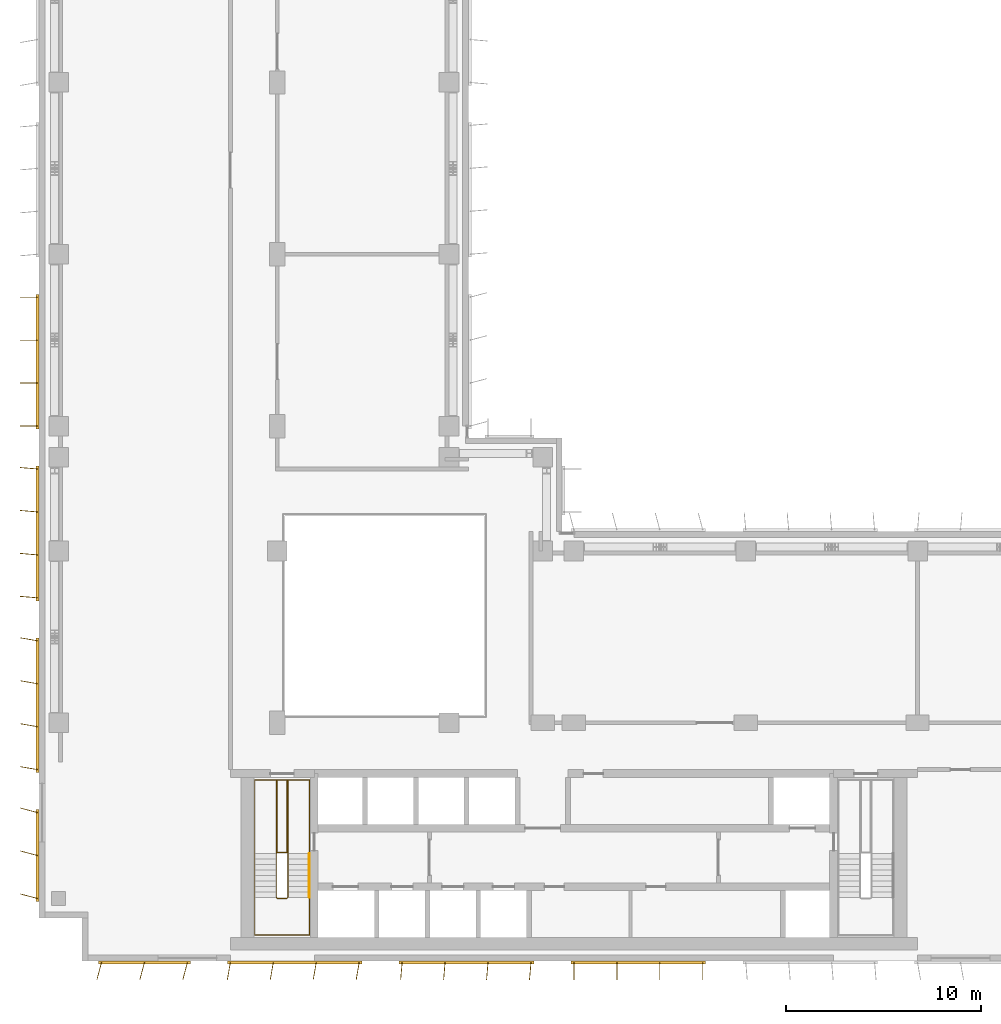
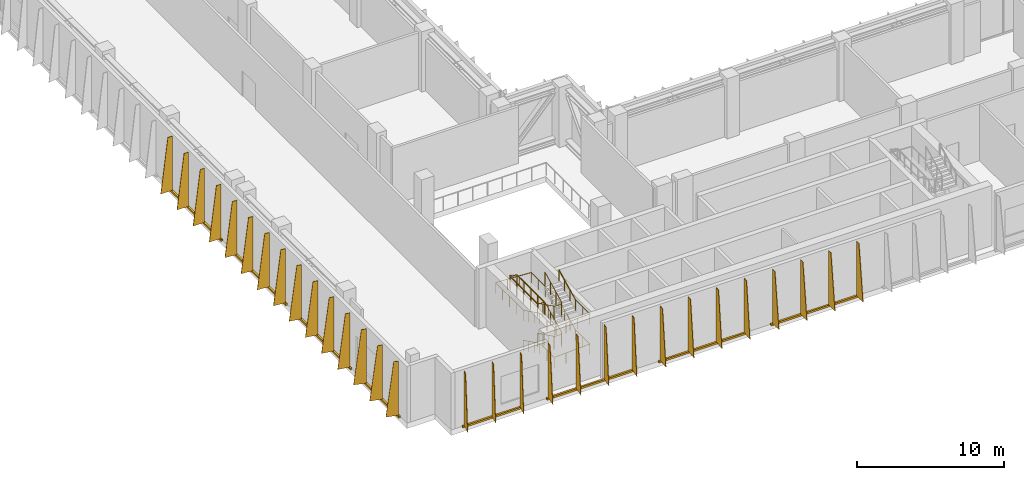
# One storey, part 14 of 17: 8 shading devices, 4 railings.
"""IFC4 building model written with IfcOpenShell, lengths in metres."""

import ifcopenshell
import ifcopenshell.guid

model = None  # the IFC model being written
_history = None  # IfcOwnerHistory: only IFC2X3 demands one
_inside = {}  # id of a spatial element -> (the spatial element, [elements in it])
_under = {}  # id of a project, library or spatial element -> (it, [spatial elements below it])
_declared = {}  # id of a project -> (the project, [libraries it declares])
_typed = {}  # id of a type object -> (the type object, [elements of that type])
_made_of = {}  # id of a material, layer set ... -> (it, [elements and type objects made of it])


def new_model(schema):
    """Start an empty IFC model of exactly this schema.

    Asked for "IFC4X3", IfcOpenShell would pick the latest addendum, in which some entities
    have other attributes; the version numbers below select the first issue.
    IFC2X3 requires an IfcOwnerHistory on every rooted entity: one is made here for all.
    """
    global model, _history
    if schema == "IFC4X3":
        model = ifcopenshell.file(schema_version=(4, 3, 0, 0))
    else:
        model = ifcopenshell.file(schema=schema)
    _inside.clear()
    _under.clear()
    _declared.clear()
    _typed.clear()
    _made_of.clear()
    _history = None
    if model.schema == "IFC2X3":
        org = make("IfcOrganization", Name="unknown")
        user = make(
            "IfcPersonAndOrganization",
            ThePerson=make("IfcPerson", FamilyName="unknown"),
            TheOrganization=org,
        )
        app = make(
            "IfcApplication",
            ApplicationDeveloper=org,
            Version="unknown",
            ApplicationFullName="unknown",
            ApplicationIdentifier="unknown",
        )
        _history = make(
            "IfcOwnerHistory",
            OwningUser=user,
            OwningApplication=app,
            ChangeAction="ADDED",
            CreationDate=0,
        )
    return model


def make(cls, **values):
    """One entity of the class cls with the attributes given. An attribute that is None is left unset."""
    return model.create_entity(
        cls, **{name: value for name, value in values.items() if value is not None}
    )


def rooted(cls, **values):
    """An entity with a GlobalId (a new one), such as an element, a storey or a relation."""
    return make(cls, GlobalId=ifcopenshell.guid.new(), OwnerHistory=_history, **values)


def si_unit(unit_type, name, prefix=None):
    """IfcSIUnit, for example si_unit("LENGTHUNIT", "METRE", prefix="MILLI")."""
    return make("IfcSIUnit", UnitType=unit_type, Prefix=prefix, Name=name)


def assignment(units):
    """IfcUnitAssignment: the units of a project."""
    return None if units is None else make("IfcUnitAssignment", Units=units)


def point(xyz):
    """IfcCartesianPoint."""
    return None if xyz is None else make("IfcCartesianPoint", Coordinates=xyz)


def direction(xyz):
    """IfcDirection."""
    return None if xyz is None else make("IfcDirection", DirectionRatios=xyz)


def frame(location, z_axis=None, x_axis=None):
    """IfcAxis2Placement3D, a coordinate frame: its origin and axes. An axis left out is left unset."""
    return make(
        "IfcAxis2Placement3D",
        Location=point(location),
        Axis=direction(z_axis),
        RefDirection=direction(x_axis),
    )


def frame_2d(location, x_axis=None):
    """IfcAxis2Placement2D, a coordinate frame in the plane: its origin and x axis."""
    return make(
        "IfcAxis2Placement2D", Location=point(location), RefDirection=direction(x_axis)
    )


def origin():
    """The frame at (0, 0, 0) with its axes left unset."""
    return frame((0.0, 0.0, 0.0))


def origin_2d():
    """The frame at (0, 0) in the plane with its x axis left unset."""
    return frame_2d((0.0, 0.0))


def place(relative_to, where):
    """IfcLocalPlacement: puts the frame where relative to a parent placement (None: the world)."""
    return make(
        "IfcLocalPlacement", PlacementRelTo=relative_to, RelativePlacement=where
    )


def context(
    kind, dimensions, precision=None, world=None, true_north=None, identifier=None
):
    """IfcGeometricRepresentationContext, for example the 3D "Model" context."""
    return make(
        "IfcGeometricRepresentationContext",
        ContextIdentifier=identifier,
        ContextType=kind,
        CoordinateSpaceDimension=dimensions,
        Precision=precision,
        WorldCoordinateSystem=world,
        TrueNorth=true_north,
    )


def subcontext(parent, identifier, kind, view, scale=None):
    """IfcGeometricRepresentationSubContext, for example "Body" below "Model"."""
    return make(
        "IfcGeometricRepresentationSubContext",
        ContextIdentifier=identifier,
        ContextType=kind,
        ParentContext=parent,
        TargetScale=scale,
        TargetView=view,
    )


def project(units=None, contexts=None):
    """IfcProject with its units and contexts."""
    return rooted(
        "IfcProject",
        Name="project",
        RepresentationContexts=contexts,
        UnitsInContext=assignment(units),
    )


def spatial(cls, under=None, at=None, **own):
    """A site, building, storey or space (cls), placed at a placement, below another one or the project."""
    s = rooted(cls, ObjectPlacement=at, **own)
    if under is not None:
        _under.setdefault(under.id(), (under, []))[1].append(s)
    return s


def polyline(points):
    """IfcPolyline through the points."""
    return make("IfcPolyline", Points=[point(p) for p in points])


def profile(cls, at=None, kind="AREA", **sizes):
    """A parametric profile (cls). Its sizes go by their IFC names, for example OverallWidth=200.0."""
    return make(cls, ProfileType=kind, Position=at, **sizes)


def rectangle(**sizes):
    """IfcRectangleProfileDef."""
    return profile("IfcRectangleProfileDef", **sizes)


def circle(**sizes):
    """IfcCircleProfileDef."""
    return profile("IfcCircleProfileDef", **sizes)


def outline(outer, holes=None, kind="AREA"):
    """IfcArbitraryClosedProfileDef: a profile drawn as a closed curve; with holes, ...WithVoids."""
    if holes is None:
        return make("IfcArbitraryClosedProfileDef", ProfileType=kind, OuterCurve=outer)
    return make(
        "IfcArbitraryProfileDefWithVoids",
        ProfileType=kind,
        OuterCurve=outer,
        InnerCurves=holes,
    )


def extrude(swept, where, along, depth):
    """IfcExtrudedAreaSolid: the profile swept, set in the frame where, extruded along a direction by depth."""
    return make(
        "IfcExtrudedAreaSolid",
        SweptArea=swept,
        Position=where,
        ExtrudedDirection=direction(along),
        Depth=depth,
    )


def shape(context_of_items, identifier, shape_type, items):
    """IfcShapeRepresentation: the items that make up one representation, for example the "Body"."""
    return make(
        "IfcShapeRepresentation",
        ContextOfItems=context_of_items,
        RepresentationIdentifier=identifier,
        RepresentationType=shape_type,
        Items=items,
    )


def source(mapping_origin, context_of_items, identifier, shape_type, items):
    """IfcRepresentationMap: a shape defined once, which mapped items show again and again."""
    return make(
        "IfcRepresentationMap",
        MappingOrigin=mapping_origin,
        MappedRepresentation=shape(context_of_items, identifier, shape_type, items),
    )


def transform(
    local_origin,
    x_axis=None,
    y_axis=None,
    z_axis=None,
    scale=None,
    scale2=None,
    scale3=None,
    uniform=True,
):
    """IfcCartesianTransformationOperator3D, or its non-uniform kind. x_axis, y_axis, z_axis: its Axis1, 2, 3."""
    if uniform:
        return make(
            "IfcCartesianTransformationOperator3D",
            Axis1=direction(x_axis),
            Axis2=direction(y_axis),
            LocalOrigin=point(local_origin),
            Scale=scale,
            Axis3=direction(z_axis),
        )
    return make(
        "IfcCartesianTransformationOperator3DnonUniform",
        Axis1=direction(x_axis),
        Axis2=direction(y_axis),
        LocalOrigin=point(local_origin),
        Scale=scale,
        Axis3=direction(z_axis),
        Scale2=scale2,
        Scale3=scale3,
    )


def mapped(mapping_source, mapping_target):
    """IfcMappedItem: shows the shape of a source again, moved by a transform."""
    return make(
        "IfcMappedItem", MappingSource=mapping_source, MappingTarget=mapping_target
    )


def material(Name=None, Category=None):
    """IfcMaterial."""
    return make("IfcMaterial", Name=Name, Category=Category)


def layer(
    of_material, thickness, ventilated=None, Name=None, Category=None, Priority=None
):
    """IfcMaterialLayer: one layer of a wall or slab, of a material (None: an air gap)."""
    return make(
        "IfcMaterialLayer",
        Material=of_material,
        LayerThickness=thickness,
        IsVentilated=ventilated,
        Name=Name,
        Category=Category,
        Priority=Priority,
    )


def layer_set(layers, Name=None):
    """IfcMaterialLayerSet."""
    return make("IfcMaterialLayerSet", MaterialLayers=layers, LayerSetName=Name)


def made_of(thing, what):
    """Note that an element or type object is made of a material, layer set ...; save() writes the relation."""
    if what is not None:
        _made_of.setdefault(what.id(), (what, []))[1].append(thing)
    return thing


def type_object(cls, material=None, **own):
    """A type object (cls), such as IfcWallType, which elements share."""
    return made_of(rooted(cls, **own), material)


def element(
    cls,
    number,
    at=None,
    inside=None,
    cuts=None,
    type_object=None,
    material=None,
    context=None,
    identifier="Body",
    shape_type=None,
    held_by="IfcProductDefinitionShape",
    body=None,
    shapes=None,
    **own,
):
    """One element of the class cls, such as IfcWall. Its Tag is "e" and its number.

    at: its placement. inside: the storey or other place that contains it. cuts: it is an
    opening in that element (IfcRelVoidsElement). A single representation is given by context,
    identifier, shape_type and body (its items); several are given by shapes. held_by: the class
    of the entity that holds the representations. save() writes the other relations.
    """
    e = rooted(cls, Tag="e%d" % number, ObjectPlacement=at, **own)
    if body is not None:
        shapes = [shape(context, identifier, shape_type, body)]
    if shapes is not None:
        e.Representation = make(held_by, Representations=shapes)
    if inside is not None:
        _inside.setdefault(inside.id(), (inside, []))[1].append(e)
    if cuts is not None:
        rooted(
            "IfcRelVoidsElement", RelatingBuildingElement=cuts, RelatedOpeningElement=e
        )
    if type_object is not None:
        _typed.setdefault(type_object.id(), (type_object, []))[1].append(e)
    return made_of(e, material)


def aggregate(whole, parts):
    """IfcRelAggregates: a whole, such as a stair, and the parts it consists of."""
    return rooted("IfcRelAggregates", RelatingObject=whole, RelatedObjects=parts)


def save(model, path):
    """Write the relations noted so far, then the file.

    IfcRelAggregates (storeys below a building ...), IfcRelContainedInSpatialStructure (elements
    in a storey), IfcRelDefinesByType, IfcRelAssociatesMaterial and IfcRelDeclares: one each for
    every whole, place, type object, material and project.
    """
    for whole, parts in _under.values():
        aggregate(whole, parts)
    for where, things in _inside.values():
        rooted(
            "IfcRelContainedInSpatialStructure",
            RelatedElements=things,
            RelatingStructure=where,
        )
    for kind, things in _typed.values():
        rooted("IfcRelDefinesByType", RelatedObjects=things, RelatingType=kind)
    for what, things in _made_of.values():
        rooted("IfcRelAssociatesMaterial", RelatedObjects=things, RelatingMaterial=what)
    for by, libraries in _declared.values():
        rooted("IfcRelDeclares", RelatingContext=by, RelatedDefinitions=libraries)
    model.write(path)


model = new_model("IFC4")

# Units and contexts
model_context = context("Model", 3, precision=1e-05, world=origin(), true_north=direction((0.0, 1.0)))
body_context = subcontext(model_context, "Body", "Model", "MODEL_VIEW")
ifc_project = project(units=[si_unit("LENGTHUNIT", "METRE"), si_unit("AREAUNIT", "SQUARE_METRE"), si_unit("VOLUMEUNIT", "CUBIC_METRE"), si_unit("PLANEANGLEUNIT", "RADIAN"), si_unit("MASSUNIT", "GRAM", prefix="KILO")], contexts=[model_context])

# Site, building, storey
site_placement = place(None, origin())
site = spatial("IfcSite", under=ifc_project, at=site_placement, CompositionType="ELEMENT")
building_placement = place(site_placement, origin())
building = spatial("IfcBuilding", under=site, at=building_placement, Name="Kemantara Hotel Tower", CompositionType="ELEMENT")
storey_placement = place(building_placement, frame((0.0, 0.0, 193.800048828125)))
storey = spatial("IfcBuildingStorey", under=building, at=storey_placement, Name="L48", CompositionType="ELEMENT", Elevation=193.800048828125)

# Railings
ifc_material_1 = material(Name="Stainless steel balustrade", Category="steel")
railing_type_1 = type_object("IfcRailingType", Name="Stair guard 1100 mm", PredefinedType="GUARDRAIL", material=ifc_material_1)
railing_1_placement = place(storey_placement, frame((12.75, 5.5, 5.0)))
element("IfcRailing", 1, at=railing_1_placement, inside=storey, type_object=railing_type_1, Name="L48 ST1 stair guard 1", PredefinedType="GUARDRAIL", context=body_context, shape_type="SweptSolid", body=[
    extrude(circle(Radius=0.02392578125, at=origin_2d()), frame((0.0, 0.0, 1.076171875), z_axis=(0.0, -0.895848192791, -0.444360231651), x_axis=(1.0, 0.0, 0.0)), (0.0, 0.0, 1.0), 2.50048828125),
    extrude(circle(Radius=0.02392578125, at=origin_2d()), frame((0.0, -2.239990234375, -0.03515625), z_axis=(-0.321014310373, -0.321014310373, -0.891010451718), x_axis=(0.707106781187, -0.707106781187, 0.0)), (0.0, 0.0, 1.0), 0.156005859375),
    extrude(circle(Radius=0.02392578125, at=origin_2d()), frame((-0.050048828125, -2.2900390625, -0.173828125), z_axis=(-1.0, 0.0, 0.0), x_axis=(0.0, -1.0, 0.0)), (0.0, 0.0, 1.0), 0.5),
    extrude(circle(Radius=0.02392578125, at=origin_2d()), frame((-0.550048828125, -2.2900390625, -0.173828125), z_axis=(-0.707106781187, 0.707106781187, 0.0), x_axis=(-0.707106781187, -0.707106781187, 0.0)), (0.0, 0.0, 1.0), 0.07080078125),
    extrude(circle(Radius=0.02392578125, at=origin_2d()), frame((-0.60009765625, -2.239990234375, -0.173828125), z_axis=(0.0, 0.895848192791, -0.444360231651), x_axis=(-1.0, 0.0, 0.0)), (0.0, 0.0, 1.0), 2.50048828125),
    extrude(circle(Radius=0.02392578125, at=origin_2d()), frame((-0.60009765625, 0.0, -1.28515625), z_axis=(0.0, 1.0, 0.0), x_axis=(-1.0, 0.0, 0.0)), (0.0, 0.0, 1.0), 3.780029296875),
    extrude(circle(Radius=0.02392578125, at=origin_2d()), frame((-0.60009765625, 3.780029296875, -1.28515625), z_axis=(0.969557479204, 0.0, -0.244863828525), x_axis=(0.0, 1.0, 0.0)), (0.0, 0.0, 1.0), 0.5673828125),
    extrude(circle(Radius=0.02392578125, at=origin_2d()), frame((-0.050048828125, 3.780029296875, -1.423828125), z_axis=(0.0, -1.0, 0.0), x_axis=(1.0, 0.0, 0.0)), (0.0, 0.0, 1.0), 3.72998046875),
    extrude(circle(Radius=0.02392578125, at=origin_2d()), frame((-0.050048828125, 0.050048828125, -1.423828125), z_axis=(-1.0, 0.0, 0.0), x_axis=(0.0, -1.0, 0.0)), (0.0, 0.0, 1.0), 0.5),
    extrude(circle(Radius=0.02392578125, at=origin_2d()), frame((-0.550048828125, 0.050048828125, -1.423828125), z_axis=(0.0, 1.0, 0.0), x_axis=(-1.0, 0.0, 0.0)), (0.0, 0.0, 1.0), 3.72998046875),
    extrude(circle(Radius=0.02392578125, at=origin_2d()), frame((-0.550048828125, 3.780029296875, -1.423828125), z_axis=(1.0, 0.0, 0.0), x_axis=(0.0, 1.0, 0.0)), (0.0, 0.0, 1.0), 0.550048828125),
    extrude(circle(Radius=0.02392578125, at=origin_2d()), frame((0.0, 3.780029296875, -1.423828125), z_axis=(0.0, -1.0, 0.0), x_axis=(1.0, 0.0, 0.0)), (0.0, 0.0, 1.0), 3.780029296875),
    extrude(circle(Radius=0.02392578125, at=origin_2d()), frame((0.0, 0.0, -1.423828125), z_axis=(0.0, -0.895848192791, -0.444360231651), x_axis=(1.0, 0.0, 0.0)), (0.0, 0.0, 1.0), 2.50048828125),
    extrude(circle(Radius=0.02392578125, at=origin_2d()), frame((0.0, -2.239990234375, -2.53515625), z_axis=(-0.321014310373, -0.321014310373, -0.891010451718), x_axis=(0.707106781187, -0.707106781187, 0.0)), (0.0, 0.0, 1.0), 0.156005859375),
    extrude(circle(Radius=0.02392578125, at=origin_2d()), frame((-0.050048828125, -2.2900390625, -2.673828125), z_axis=(-1.0, 0.0, 0.0), x_axis=(0.0, -1.0, 0.0)), (0.0, 0.0, 1.0), 0.5),
    extrude(circle(Radius=0.02392578125, at=origin_2d()), frame((-0.550048828125, -2.2900390625, -2.673828125), z_axis=(-0.707106781187, 0.707106781187, 0.0), x_axis=(-0.707106781187, -0.707106781187, 0.0)), (0.0, 0.0, 1.0), 0.07080078125),
    extrude(circle(Radius=0.02392578125, at=origin_2d()), frame((-0.60009765625, -2.239990234375, -2.673828125), z_axis=(0.0, 0.895848192791, -0.444360231651), x_axis=(-1.0, 0.0, 0.0)), (0.0, 0.0, 1.0), 2.50048828125),
    extrude(circle(Radius=0.02392578125, at=origin_2d()), frame((-0.60009765625, 0.0, -3.78515625), z_axis=(0.321014310373, 0.321014310373, -0.891010451718), x_axis=(-0.707106781187, 0.707106781187, 0.0)), (0.0, 0.0, 1.0), 0.156005859375),
    extrude(circle(Radius=0.02392578125, at=origin_2d()), frame((-0.550048828125, 0.050048828125, -3.923828125), z_axis=(1.0, 0.0, 0.0), x_axis=(0.0, 1.0, 0.0)), (0.0, 0.0, 1.0), 0.5),
    extrude(circle(Radius=0.02099609375, at=origin_2d()), origin(), (0.0, 0.0, 1.0), 1.052001953125),
    extrude(circle(Radius=0.02099609375, at=origin_2d()), frame((0.0, -0.74658203125, -0.370361328125)), (0.0, 0.0, 1.0), 1.052001953125),
    extrude(circle(Radius=0.02099609375, at=origin_2d()), frame((0.0, -1.493408203125, -0.74072265625)), (0.0, 0.0, 1.0), 1.052001953125),
    extrude(circle(Radius=0.02099609375, at=origin_2d()), frame((0.0, -2.239990234375, -1.111083984375)), (0.0, 0.0, 1.0), 1.052001953125),
    extrude(circle(Radius=0.02099609375, at=origin_2d()), frame((-0.050048828125, -2.2900390625, -1.25)), (0.0, 0.0, 1.0), 1.052001953125),
    extrude(circle(Radius=0.02099609375, at=origin_2d()), frame((-0.550048828125, -2.2900390625, -1.25)), (0.0, 0.0, 1.0), 1.052001953125),
    extrude(circle(Radius=0.02099609375, at=origin_2d()), frame((-0.60009765625, -2.239990234375, -1.25)), (0.0, 0.0, 1.0), 1.052001953125),
    extrude(circle(Radius=0.02099609375, at=origin_2d()), frame((-0.60009765625, -1.493408203125, -1.620361328125)), (0.0, 0.0, 1.0), 1.052001953125),
    extrude(circle(Radius=0.02099609375, at=origin_2d()), frame((-0.60009765625, -0.74658203125, -1.99072265625)), (0.0, 0.0, 1.0), 1.052001953125),
    extrude(circle(Radius=0.02099609375, at=origin_2d()), frame((-0.60009765625, 0.0, -2.361083984375)), (0.0, 0.0, 1.0), 1.052001953125),
    extrude(circle(Radius=0.02099609375, at=origin_2d()), frame((-0.60009765625, 0.945068359375, -2.361083984375)), (0.0, 0.0, 1.0), 1.052001953125),
    extrude(circle(Radius=0.02099609375, at=origin_2d()), frame((-0.60009765625, 1.89013671875, -2.361083984375)), (0.0, 0.0, 1.0), 1.052001953125),
    extrude(circle(Radius=0.02099609375, at=origin_2d()), frame((-0.60009765625, 2.8349609375, -2.361083984375)), (0.0, 0.0, 1.0), 1.052001953125),
    extrude(circle(Radius=0.02099609375, at=origin_2d()), frame((-0.60009765625, 3.780029296875, -2.361083984375)), (0.0, 0.0, 1.0), 1.052001953125),
    extrude(circle(Radius=0.02099609375, at=origin_2d()), frame((-0.050048828125, 3.780029296875, -2.5)), (0.0, 0.0, 1.0), 1.052001953125),
    extrude(circle(Radius=0.02099609375, at=origin_2d()), frame((-0.050048828125, 2.84765625, -2.5)), (0.0, 0.0, 1.0), 1.052001953125),
    extrude(circle(Radius=0.02099609375, at=origin_2d()), frame((-0.050048828125, 1.9150390625, -2.5)), (0.0, 0.0, 1.0), 1.052001953125),
    extrude(circle(Radius=0.02099609375, at=origin_2d()), frame((-0.050048828125, 0.982421875, -2.5)), (0.0, 0.0, 1.0), 1.052001953125),
    extrude(circle(Radius=0.02099609375, at=origin_2d()), frame((-0.050048828125, 0.050048828125, -2.5)), (0.0, 0.0, 1.0), 1.052001953125),
    extrude(circle(Radius=0.02099609375, at=origin_2d()), frame((-0.550048828125, 0.050048828125, -2.5)), (0.0, 0.0, 1.0), 1.052001953125),
    extrude(circle(Radius=0.02099609375, at=origin_2d()), frame((-0.550048828125, 0.982421875, -2.5)), (0.0, 0.0, 1.0), 1.052001953125),
    extrude(circle(Radius=0.02099609375, at=origin_2d()), frame((-0.550048828125, 1.9150390625, -2.5)), (0.0, 0.0, 1.0), 1.052001953125),
    extrude(circle(Radius=0.02099609375, at=origin_2d()), frame((-0.550048828125, 2.84765625, -2.5)), (0.0, 0.0, 1.0), 1.052001953125),
    extrude(circle(Radius=0.02099609375, at=origin_2d()), frame((-0.550048828125, 3.780029296875, -2.5)), (0.0, 0.0, 1.0), 1.052001953125),
    extrude(circle(Radius=0.02099609375, at=origin_2d()), frame((0.0, 3.780029296875, -2.5)), (0.0, 0.0, 1.0), 1.052001953125),
    extrude(circle(Radius=0.02099609375, at=origin_2d()), frame((0.0, 2.8349609375, -2.5)), (0.0, 0.0, 1.0), 1.052001953125),
    extrude(circle(Radius=0.02099609375, at=origin_2d()), frame((0.0, 1.89013671875, -2.5)), (0.0, 0.0, 1.0), 1.052001953125),
    extrude(circle(Radius=0.02099609375, at=origin_2d()), frame((0.0, 0.945068359375, -2.5)), (0.0, 0.0, 1.0), 1.052001953125),
    extrude(circle(Radius=0.02099609375, at=origin_2d()), frame((0.0, 0.0, -2.5)), (0.0, 0.0, 1.0), 1.052001953125),
    extrude(circle(Radius=0.02099609375, at=origin_2d()), frame((0.0, -0.74658203125, -2.870361328125)), (0.0, 0.0, 1.0), 1.052001953125),
    extrude(circle(Radius=0.02099609375, at=origin_2d()), frame((0.0, -1.493408203125, -3.24072265625)), (0.0, 0.0, 1.0), 1.052001953125),
    extrude(circle(Radius=0.02099609375, at=origin_2d()), frame((0.0, -2.239990234375, -3.611083984375)), (0.0, 0.0, 1.0), 1.052001953125),
    extrude(circle(Radius=0.02099609375, at=origin_2d()), frame((-0.050048828125, -2.2900390625, -3.75)), (0.0, 0.0, 1.0), 1.052001953125),
    extrude(circle(Radius=0.02099609375, at=origin_2d()), frame((-0.550048828125, -2.2900390625, -3.75)), (0.0, 0.0, 1.0), 1.052001953125),
    extrude(circle(Radius=0.02099609375, at=origin_2d()), frame((-0.60009765625, -2.239990234375, -3.75)), (0.0, 0.0, 1.0), 1.052001953125),
    extrude(circle(Radius=0.02099609375, at=origin_2d()), frame((-0.60009765625, -1.493408203125, -4.120361328125)), (0.0, 0.0, 1.0), 1.052001953125),
    extrude(circle(Radius=0.02099609375, at=origin_2d()), frame((-0.60009765625, -0.74658203125, -4.49072265625)), (0.0, 0.0, 1.0), 1.052001953125),
    extrude(circle(Radius=0.02099609375, at=origin_2d()), frame((-0.60009765625, 0.0, -4.861083984375)), (0.0, 0.0, 1.0), 1.052001953125),
    extrude(circle(Radius=0.02099609375, at=origin_2d()), frame((-0.550048828125, 0.050048828125, -5.0)), (0.0, 0.0, 1.0), 1.052001953125),
    extrude(circle(Radius=0.02099609375, at=origin_2d()), frame((-0.050048828125, 0.050048828125, -5.0)), (0.0, 0.0, 1.0), 1.052001953125),
])
railing_type_2 = type_object("IfcRailingType", Name="Stair handrail 900 mm", PredefinedType="HANDRAIL", material=ifc_material_1)
railing_2_placement = place(storey_placement, frame((11.050048828125, 5.5, 0.138916015625)))
element("IfcRailing", 2, at=railing_2_placement, inside=storey, type_object=railing_type_2, Name="L48 ST1 stair handrail 1", PredefinedType="HANDRAIL", context=body_context, shape_type="SweptSolid", body=[
    extrude(circle(Radius=0.02392578125, at=origin_2d()), frame((0.0, 0.0, 0.8759765625), z_axis=(0.0, -0.895848192791, 0.444360231651), x_axis=(1.0, 0.0, 0.0)), (0.0, 0.0, 1.0), 2.50048828125),
    extrude(circle(Radius=0.02392578125, at=origin_2d()), frame((0.0, -2.239990234375, 1.98681640625), z_axis=(0.0, -1.0, 0.0), x_axis=(1.0, 0.0, 0.0)), (0.0, 0.0, 1.0), 1.93994140625),
    extrude(circle(Radius=0.02392578125, at=origin_2d()), frame((0.0, -4.179931640625, 1.98681640625), z_axis=(0.998771592041, 0.0, 0.049551053786), x_axis=(0.0, 1.0, 0.0)), (0.0, 0.0, 1.0), 2.803466796875),
    extrude(circle(Radius=0.02392578125, at=origin_2d()), frame((2.800048828125, -4.179931640625, 2.1259765625), z_axis=(0.0, 1.0, 0.0), x_axis=(-1.0, 0.0, 0.0)), (0.0, 0.0, 1.0), 1.93994140625),
    extrude(circle(Radius=0.02392578125, at=origin_2d()), frame((2.800048828125, -2.239990234375, 2.1259765625), z_axis=(0.0, 0.895848192791, 0.444360231651), x_axis=(-1.0, 0.0, 0.0)), (0.0, 0.0, 1.0), 2.50048828125),
    extrude(circle(Radius=0.02099609375, at=origin_2d()), origin(), (0.0, 0.0, 1.0), 0.851806640625),
    extrude(circle(Radius=0.02099609375, at=origin_2d()), frame((0.0, -0.74658203125, 0.370361328125)), (0.0, 0.0, 1.0), 0.851806640625),
    extrude(circle(Radius=0.02099609375, at=origin_2d()), frame((0.0, -1.493408203125, 0.74072265625)), (0.0, 0.0, 1.0), 0.851806640625),
    extrude(circle(Radius=0.02099609375, at=origin_2d()), frame((0.0, -2.239990234375, 1.111083984375)), (0.0, 0.0, 1.0), 0.851806640625),
    extrude(circle(Radius=0.02099609375, at=origin_2d()), frame((0.0, -3.2099609375, 1.111083984375)), (0.0, 0.0, 1.0), 0.851806640625),
    extrude(circle(Radius=0.02099609375, at=origin_2d()), frame((0.0, -4.179931640625, 1.111083984375)), (0.0, 0.0, 1.0), 0.851806640625),
    extrude(circle(Radius=0.02099609375, at=origin_2d()), frame((0.933349609375, -4.179931640625, 1.157470703125)), (0.0, 0.0, 1.0), 0.851806640625),
    extrude(circle(Radius=0.02099609375, at=origin_2d()), frame((1.86669921875, -4.179931640625, 1.20361328125)), (0.0, 0.0, 1.0), 0.851806640625),
    extrude(circle(Radius=0.02099609375, at=origin_2d()), frame((2.800048828125, -4.179931640625, 1.25)), (0.0, 0.0, 1.0), 0.851806640625),
    extrude(circle(Radius=0.02099609375, at=origin_2d()), frame((2.800048828125, -3.2099609375, 1.25)), (0.0, 0.0, 1.0), 0.851806640625),
    extrude(circle(Radius=0.02099609375, at=origin_2d()), frame((2.800048828125, -2.239990234375, 1.25)), (0.0, 0.0, 1.0), 0.851806640625),
    extrude(circle(Radius=0.02099609375, at=origin_2d()), frame((2.800048828125, -1.493408203125, 1.620361328125)), (0.0, 0.0, 1.0), 0.851806640625),
    extrude(circle(Radius=0.02099609375, at=origin_2d()), frame((2.800048828125, -0.74658203125, 1.99072265625)), (0.0, 0.0, 1.0), 0.851806640625),
    extrude(circle(Radius=0.02099609375, at=origin_2d()), frame((2.800048828125, 0.0, 2.361083984375)), (0.0, 0.0, 1.0), 0.851806640625),
])
railing_3_placement = place(storey_placement, frame((13.85009765625, 5.5, 2.5)))
element("IfcRailing", 3, at=railing_3_placement, inside=storey, type_object=railing_type_2, Name="L48 ST1 stair handrail 2", PredefinedType="HANDRAIL", context=body_context, shape_type="SweptSolid", body=[
    extrude(circle(Radius=0.02392578125, at=origin_2d()), frame((0.0, 0.0, 0.8759765625), z_axis=(0.0, 1.0, 0.0), x_axis=(-1.0, 0.0, 0.0)), (0.0, 0.0, 1.0), 3.780029296875),
    extrude(circle(Radius=0.02392578125, at=origin_2d()), frame((0.0, 3.780029296875, 0.8759765625), z_axis=(-0.998771592041, 0.0, 0.049551053786), x_axis=(0.0, -1.0, 0.0)), (0.0, 0.0, 1.0), 2.803466796875),
    extrude(circle(Radius=0.02392578125, at=origin_2d()), frame((-2.800048828125, 3.780029296875, 1.0146484375), z_axis=(0.0, -1.0, 0.0), x_axis=(1.0, 0.0, 0.0)), (0.0, 0.0, 1.0), 3.780029296875),
    extrude(circle(Radius=0.02392578125, at=origin_2d()), frame((-2.800048828125, 0.0, 1.0146484375), z_axis=(0.0, -0.895848192791, 0.444360231651), x_axis=(1.0, 0.0, 0.0)), (0.0, 0.0, 1.0), 2.50048828125),
    extrude(circle(Radius=0.02392578125, at=origin_2d()), frame((-2.800048828125, -2.239990234375, 2.1259765625), z_axis=(0.0, -1.0, 0.0), x_axis=(1.0, 0.0, 0.0)), (0.0, 0.0, 1.0), 1.93994140625),
    extrude(circle(Radius=0.02392578125, at=origin_2d()), frame((-2.800048828125, -4.179931640625, 2.1259765625), z_axis=(0.998771592041, 0.0, 0.049551053786), x_axis=(0.0, 1.0, 0.0)), (0.0, 0.0, 1.0), 2.803466796875),
    extrude(circle(Radius=0.02392578125, at=origin_2d()), frame((0.0, -4.179931640625, 2.2646484375), z_axis=(0.0, 1.0, 0.0), x_axis=(-1.0, 0.0, 0.0)), (0.0, 0.0, 1.0), 1.93994140625),
    extrude(circle(Radius=0.02099609375, at=origin_2d()), origin(), (0.0, 0.0, 1.0), 0.851806640625),
    extrude(circle(Radius=0.02099609375, at=origin_2d()), frame((0.0, 0.945068359375, 0.0)), (0.0, 0.0, 1.0), 0.851806640625),
    extrude(circle(Radius=0.02099609375, at=origin_2d()), frame((0.0, 1.89013671875, 0.0)), (0.0, 0.0, 1.0), 0.851806640625),
    extrude(circle(Radius=0.02099609375, at=origin_2d()), frame((0.0, 2.8349609375, 0.0)), (0.0, 0.0, 1.0), 0.851806640625),
    extrude(circle(Radius=0.02099609375, at=origin_2d()), frame((0.0, 3.780029296875, 0.0)), (0.0, 0.0, 1.0), 0.851806640625),
    extrude(circle(Radius=0.02099609375, at=origin_2d()), frame((-0.933349609375, 3.780029296875, 0.04638671875)), (0.0, 0.0, 1.0), 0.851806640625),
    extrude(circle(Radius=0.02099609375, at=origin_2d()), frame((-1.86669921875, 3.780029296875, 0.092529296875)), (0.0, 0.0, 1.0), 0.851806640625),
    extrude(circle(Radius=0.02099609375, at=origin_2d()), frame((-2.800048828125, 3.780029296875, 0.138916015625)), (0.0, 0.0, 1.0), 0.851806640625),
    extrude(circle(Radius=0.02099609375, at=origin_2d()), frame((-2.800048828125, 2.8349609375, 0.138916015625)), (0.0, 0.0, 1.0), 0.851806640625),
    extrude(circle(Radius=0.02099609375, at=origin_2d()), frame((-2.800048828125, 1.89013671875, 0.138916015625)), (0.0, 0.0, 1.0), 0.851806640625),
    extrude(circle(Radius=0.02099609375, at=origin_2d()), frame((-2.800048828125, 0.945068359375, 0.138916015625)), (0.0, 0.0, 1.0), 0.851806640625),
    extrude(circle(Radius=0.02099609375, at=origin_2d()), frame((-2.800048828125, 0.0, 0.138916015625)), (0.0, 0.0, 1.0), 0.851806640625),
    extrude(circle(Radius=0.02099609375, at=origin_2d()), frame((-2.800048828125, -0.74658203125, 0.50927734375)), (0.0, 0.0, 1.0), 0.851806640625),
    extrude(circle(Radius=0.02099609375, at=origin_2d()), frame((-2.800048828125, -1.493408203125, 0.879638671875)), (0.0, 0.0, 1.0), 0.851806640625),
    extrude(circle(Radius=0.02099609375, at=origin_2d()), frame((-2.800048828125, -2.239990234375, 1.25)), (0.0, 0.0, 1.0), 0.851806640625),
    extrude(circle(Radius=0.02099609375, at=origin_2d()), frame((-2.800048828125, -3.2099609375, 1.25)), (0.0, 0.0, 1.0), 0.851806640625),
    extrude(circle(Radius=0.02099609375, at=origin_2d()), frame((-2.800048828125, -4.179931640625, 1.25)), (0.0, 0.0, 1.0), 0.851806640625),
    extrude(circle(Radius=0.02099609375, at=origin_2d()), frame((-1.86669921875, -4.179931640625, 1.29638671875)), (0.0, 0.0, 1.0), 0.851806640625),
    extrude(circle(Radius=0.02099609375, at=origin_2d()), frame((-0.933349609375, -4.179931640625, 1.342529296875)), (0.0, 0.0, 1.0), 0.851806640625),
    extrude(circle(Radius=0.02099609375, at=origin_2d()), frame((0.0, -4.179931640625, 1.388916015625)), (0.0, 0.0, 1.0), 0.851806640625),
    extrude(circle(Radius=0.02099609375, at=origin_2d()), frame((0.0, -3.2099609375, 1.388916015625)), (0.0, 0.0, 1.0), 0.851806640625),
    extrude(circle(Radius=0.02099609375, at=origin_2d()), frame((0.0, -2.239990234375, 1.388916015625)), (0.0, 0.0, 1.0), 0.851806640625),
])
railing_4_placement = place(storey_placement, frame((13.85009765625, 3.260009765625, 3.888916015625)))
element("IfcRailing", 4, at=railing_4_placement, inside=storey, type_object=railing_type_2, Name="L48 ST1 stair handrail 3", PredefinedType="HANDRAIL", context=body_context, shape_type="SweptSolid", body=[
    extrude(circle(Radius=0.02392578125, at=origin_2d()), frame((0.0, 0.0, 0.8759765625), z_axis=(0.0, 0.895848192791, 0.444360231651), x_axis=(-1.0, 0.0, 0.0)), (0.0, 0.0, 1.0), 2.50048828125),
    extrude(circle(Radius=0.02099609375, at=origin_2d()), origin(), (0.0, 0.0, 1.0), 0.851806640625),
    extrude(circle(Radius=0.02099609375, at=origin_2d()), frame((0.0, 0.74658203125, 0.370361328125)), (0.0, 0.0, 1.0), 0.851806640625),
    extrude(circle(Radius=0.02099609375, at=origin_2d()), frame((0.0, 1.493408203125, 0.74072265625)), (0.0, 0.0, 1.0), 0.851806640625),
    extrude(circle(Radius=0.02099609375, at=origin_2d()), frame((0.0, 2.239990234375, 1.111083984375)), (0.0, 0.0, 1.0), 0.851806640625),
])

# Shading devices
ifc_material_2 = material(Name="Perforated aluminium plate 4 mm bronze anodised", Category="aluminium")
ifc_layer_1 = layer(ifc_material_2, 0.0400390625)
ifc_layer_set_1 = layer_set([ifc_layer_1], Name="Perforated aluminium plate 4 mm bronze anodised")
shading_device_type_1 = type_object("IfcShadingDeviceType", Name="SCREEN FIN CASSETTE, 3 BLADES AT -15.0 DEG, 4500 HIGH", PredefinedType="USERDEFINED", material=ifc_layer_set_1)
shared_shape_1 = source(origin(), body_context, "Body", "SweptSolid", [
    extrude(rectangle(XDim=4.699951171875, YDim=0.14990234375, at=origin_2d()), frame((2.199951171875, -0.074951171875, -0.14990234375), z_axis=(0.0, 0.0, 1.0), x_axis=(1.0, 0.0, 0.0)), (0.0, 0.0, 1.0), 0.14990234375),
    extrude(outline(polyline([(0.0, 0.0), (0.89990234375, 0.0), (0.35009765625, 4.5), (0.0, 4.5), (0.0, 0.0)])), frame((0.019287109375, -0.080078125, 0.0), z_axis=(-0.966437683387, 0.256901156343, 0.0), x_axis=(-0.256901156343, -0.966437683387, 0.0)), (0.0, 0.0, 1.0), 0.039794921875),
    extrude(outline(polyline([(0.0, 0.0), (0.89990234375, 0.0), (0.35009765625, 4.5), (0.0, 4.5), (0.0, 0.0)])), frame((2.21923828125, -0.080078125, 0.0), z_axis=(-0.966437683387, 0.256901156343, 0.0), x_axis=(-0.256901156343, -0.966437683387, 0.0)), (0.0, 0.0, 1.0), 0.039794921875),
    extrude(outline(polyline([(0.0, 0.0), (0.89990234375, 0.0), (0.35009765625, 4.5), (0.0, 4.5), (0.0, 0.0)])), frame((4.41943359375, -0.080078125, 0.0), z_axis=(-0.966837822169, 0.255391122837, 0.0), x_axis=(-0.255391122837, -0.966837822169, 0.0)), (0.0, 0.0, 1.0), 0.0400390625),
])
for number, where, z_axis, x_axis, name in (
    (5, (0.0, 7.60009765625, 0.099853515625), (0.0, 0.0, 1.0), (0.0, -1.0, 0.0), "SCREEN FIN CASSETTE L48 T3-R05-7"),
    (6, (3.199951171875, 0.0, 0.099853515625), (0.0, 0.0, 1.0), (1.0, 0.0, 0.0), "SCREEN FIN CASSETTE L48 T3-R08-1"),
):
    element("IfcShadingDevice", number, at=place(storey_placement, frame(where, z_axis=z_axis, x_axis=x_axis)), inside=storey, type_object=shading_device_type_1, Name=name, ObjectType="SCREEN FIN", PredefinedType="USERDEFINED", context=body_context, shape_type="MappedRepresentation", body=[
        mapped(shared_shape_1, transform((0.0, 0.0, 0.0))),
    ])
ifc_layer_2 = layer(ifc_material_2, 0.0400390625)
ifc_layer_set_2 = layer_set([ifc_layer_2], Name="Perforated aluminium plate 4 mm bronze anodised")
shading_device_type_2 = type_object("IfcShadingDeviceType", Name="SCREEN FIN CASSETTE, 4 BLADES AT -10.0 DEG, 4500 HIGH", PredefinedType="USERDEFINED", material=ifc_layer_set_2)
shared_shape_2 = source(origin(), body_context, "Body", "SweptSolid", [
    extrude(rectangle(XDim=6.89990234375, YDim=0.14990234375, at=origin_2d()), frame((3.300048828125, -0.074951171875, -0.14990234375), z_axis=(0.0, 0.0, 1.0), x_axis=(1.0, 0.0, 0.0)), (0.0, 0.0, 1.0), 0.14990234375),
    extrude(outline(polyline([(0.0, 0.0), (0.89990234375, 0.0), (0.35009765625, 4.5), (0.0, 4.5), (0.0, 0.0)])), frame((0.019775390625, -0.078369140625, 0.0), z_axis=(-0.985389793052, 0.170314285219, 0.0), x_axis=(-0.170314285219, -0.985389793052, 0.0)), (0.0, 0.0, 1.0), 0.0400390625),
    extrude(outline(polyline([(0.0, 0.0), (0.89990234375, 0.0), (0.35009765625, 4.5), (0.0, 4.5), (0.0, 0.0)])), frame((2.2197265625, -0.078369140625, 0.0), z_axis=(-0.98521175482, 0.171341174751, 0.0), x_axis=(-0.171341174751, -0.98521175482, 0.0)), (0.0, 0.0, 1.0), 0.039794921875),
    extrude(outline(polyline([(0.0, 0.0), (0.89990234375, 0.0), (0.35009765625, 4.5), (0.0, 4.5), (0.0, 0.0)])), frame((4.419677734375, -0.078369140625, 0.0), z_axis=(-0.98521175482, 0.171341174751, 0.0), x_axis=(-0.171341174751, -0.98521175482, 0.0)), (0.0, 0.0, 1.0), 0.039794921875),
    extrude(outline(polyline([(0.0, 0.0), (0.89990234375, 0.0), (0.35009765625, 4.5), (0.0, 4.5), (0.0, 0.0)])), frame((6.61962890625, -0.078369140625, 0.0), z_axis=(-0.98521175482, 0.171341174751, 0.0), x_axis=(-0.171341174751, -0.98521175482, 0.0)), (0.0, 0.0, 1.0), 0.039794921875),
])
for number, where, z_axis, x_axis, name in (
    (7, (0.0, 16.39990234375, 0.099853515625), (0.0, 0.0, 1.0), (0.0, -1.0, 0.0), "SCREEN FIN CASSETTE L48 T3-R05-6"),
    (8, (9.800048828125, 0.0, 0.099853515625), (0.0, 0.0, 1.0), (1.0, 0.0, 0.0), "SCREEN FIN CASSETTE L48 T3-R08-2"),
):
    element("IfcShadingDevice", number, at=place(storey_placement, frame(where, z_axis=z_axis, x_axis=x_axis)), inside=storey, type_object=shading_device_type_2, Name=name, ObjectType="SCREEN FIN", PredefinedType="USERDEFINED", context=body_context, shape_type="MappedRepresentation", body=[
        mapped(shared_shape_2, transform((0.0, 0.0, 0.0))),
    ])
ifc_layer_3 = layer(ifc_material_2, 0.0400390625)
ifc_layer_set_3 = layer_set([ifc_layer_3], Name="Perforated aluminium plate 4 mm bronze anodised")
shading_device_type_3 = type_object("IfcShadingDeviceType", Name="SCREEN FIN CASSETTE, 4 BLADES AT -5.0 DEG, 4500 HIGH", PredefinedType="USERDEFINED", material=ifc_layer_set_3)
shared_shape_3 = source(origin(), body_context, "Body", "SweptSolid", [
    extrude(rectangle(XDim=6.89990234375, YDim=0.14990234375, at=origin_2d()), frame((3.300048828125, -0.074951171875, -0.14990234375), z_axis=(0.0, 0.0, 1.0), x_axis=(1.0, 0.0, 0.0)), (0.0, 0.0, 1.0), 0.14990234375),
    extrude(outline(polyline([(0.0, 0.0), (0.89990234375, 0.0), (0.35009765625, 4.5), (0.0, 4.5), (0.0, 0.0)])), frame((0.02001953125, -0.07666015625, 0.0), z_axis=(-0.996376129781, 0.085056498884, 0.0), x_axis=(-0.085056498884, -0.996376129781, 0.0)), (0.0, 0.0, 1.0), 0.040283203125),
    extrude(outline(polyline([(0.0, 0.0), (0.89990234375, 0.0), (0.35009765625, 4.5), (0.0, 4.5), (0.0, 0.0)])), frame((2.219970703125, -0.07666015625, 0.0), z_axis=(-0.996331773833, 0.085574508182, 0.0), x_axis=(-0.085574508182, -0.996331773833, 0.0)), (0.0, 0.0, 1.0), 0.0400390625),
    extrude(outline(polyline([(0.0, 0.0), (0.89990234375, 0.0), (0.35009765625, 4.5), (0.0, 4.5), (0.0, 0.0)])), frame((4.419921875, -0.07666015625, 0.0), z_axis=(-0.996331773833, 0.085574508182, 0.0), x_axis=(-0.085574508182, -0.996331773833, 0.0)), (0.0, 0.0, 1.0), 0.0400390625),
    extrude(outline(polyline([(0.0, 0.0), (0.89990234375, 0.0), (0.35009765625, 4.5), (0.0, 4.5), (0.0, 0.0)])), frame((6.619873046875, -0.07666015625, 0.0), z_axis=(-0.996331773833, 0.085574508182, 0.0), x_axis=(-0.085574508182, -0.996331773833, 0.0)), (0.0, 0.0, 1.0), 0.0400390625),
])
for number, where, z_axis, x_axis, name in (
    (9, (0.0, 25.199951171875, 0.099853515625), (0.0, 0.0, 1.0), (0.0, -1.0, 0.0), "SCREEN FIN CASSETTE L48 T3-R05-5"),
    (10, (18.60009765625, 0.0, 0.099853515625), (0.0, 0.0, 1.0), (1.0, 0.0, 0.0), "SCREEN FIN CASSETTE L48 T3-R08-3"),
):
    element("IfcShadingDevice", number, at=place(storey_placement, frame(where, z_axis=z_axis, x_axis=x_axis)), inside=storey, type_object=shading_device_type_3, Name=name, ObjectType="SCREEN FIN", PredefinedType="USERDEFINED", context=body_context, shape_type="MappedRepresentation", body=[
        mapped(shared_shape_3, transform((0.0, 0.0, 0.0))),
    ])
ifc_layer_4 = layer(ifc_material_2, 0.0400390625)
ifc_layer_set_4 = layer_set([ifc_layer_4], Name="Perforated aluminium plate 4 mm bronze anodised")
shading_device_type_4 = type_object("IfcShadingDeviceType", Name="SCREEN FIN CASSETTE, 4 BLADES AT +0.0 DEG, 4500 HIGH", PredefinedType="USERDEFINED", material=ifc_layer_set_4)
shared_shape_4 = source(origin(), body_context, "Body", "SweptSolid", [
    extrude(rectangle(XDim=6.89990234375, YDim=0.14990234375, at=origin_2d()), frame((3.300048828125, -0.074951171875, -0.14990234375), z_axis=(0.0, 0.0, 1.0), x_axis=(1.0, 0.0, 0.0)), (0.0, 0.0, 1.0), 0.14990234375),
    extrude(outline(polyline([(0.0, 0.0), (0.89990234375, 0.0), (0.35009765625, 4.5), (0.0, 4.5), (0.0, 0.0)])), frame((0.02001953125, -0.074951171875, 0.0), z_axis=(-1.0, 0.0, 0.0), x_axis=(0.0, -1.0, 0.0)), (0.0, 0.0, 1.0), 0.0400390625),
    extrude(outline(polyline([(0.0, 0.0), (0.89990234375, 0.0), (0.35009765625, 4.5), (0.0, 4.5), (0.0, 0.0)])), frame((2.219970703125, -0.074951171875, 0.0), z_axis=(-1.0, 0.0, 0.0), x_axis=(0.0, -1.0, 0.0)), (0.0, 0.0, 1.0), 0.0400390625),
    extrude(outline(polyline([(0.0, 0.0), (0.89990234375, 0.0), (0.35009765625, 4.5), (0.0, 4.5), (0.0, 0.0)])), frame((4.419921875, -0.074951171875, 0.0), z_axis=(-1.0, 0.0, 0.0), x_axis=(0.0, -1.0, 0.0)), (0.0, 0.0, 1.0), 0.0400390625),
    extrude(outline(polyline([(0.0, 0.0), (0.89990234375, 0.0), (0.35009765625, 4.5), (0.0, 4.5), (0.0, 0.0)])), frame((6.6201171875, -0.074951171875, 0.0), z_axis=(-1.0, 0.0, 0.0), x_axis=(0.0, -1.0, 0.0)), (0.0, 0.0, 1.0), 0.0400390625),
])
for number, where, z_axis, x_axis, name in (
    (11, (0.0, 34.0, 0.099853515625), (0.0, 0.0, 1.0), (0.0, -1.0, 0.0), "SCREEN FIN CASSETTE L48 T3-R05-4"),
    (12, (27.39990234375, 0.0, 0.099853515625), (0.0, 0.0, 1.0), (1.0, 0.0, 0.0), "SCREEN FIN CASSETTE L48 T3-R08-4"),
):
    element("IfcShadingDevice", number, at=place(storey_placement, frame(where, z_axis=z_axis, x_axis=x_axis)), inside=storey, type_object=shading_device_type_4, Name=name, ObjectType="SCREEN FIN", PredefinedType="USERDEFINED", context=body_context, shape_type="MappedRepresentation", body=[
        mapped(shared_shape_4, transform((0.0, 0.0, 0.0))),
    ])

save(model, "model.ifc")
